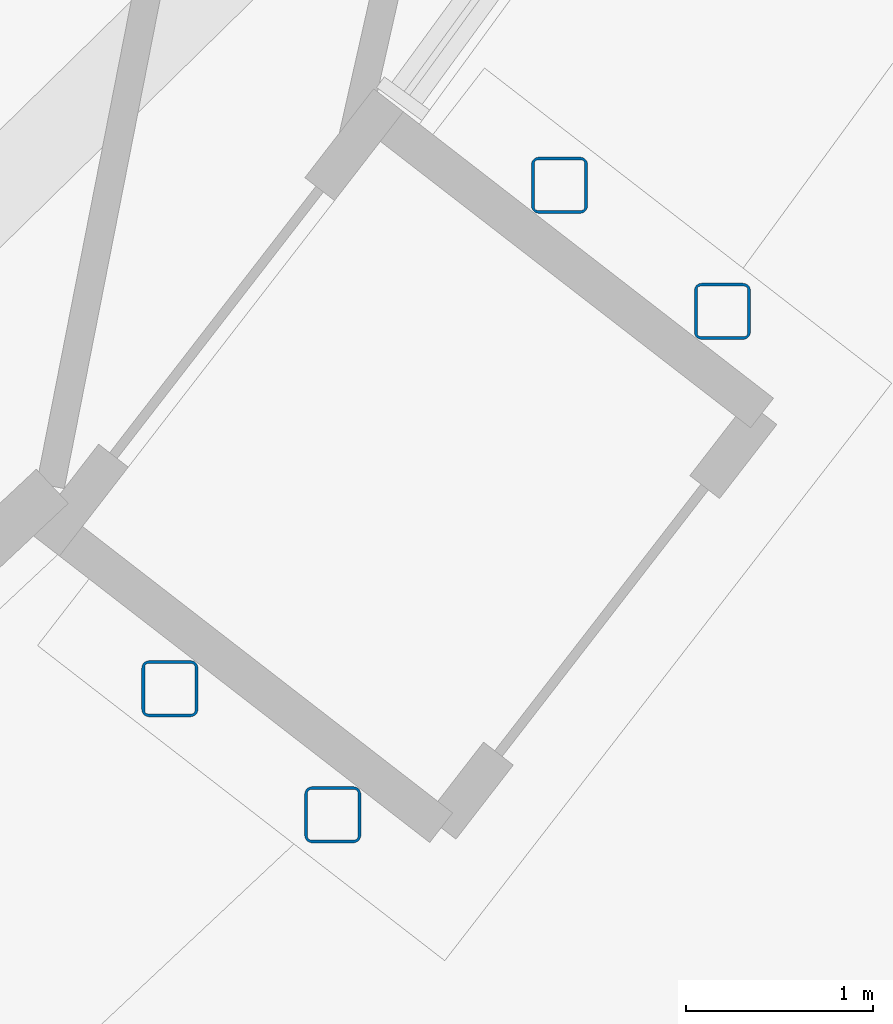
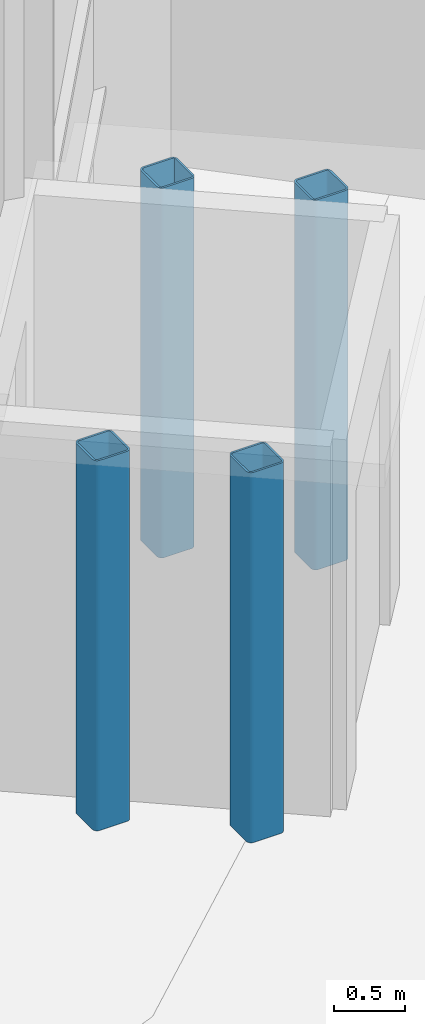
# One storey, part 2 of 45: 4 columns.
"""IFC4 building model written with IfcOpenShell, lengths in metres."""

from ifc_helpers import new_model, si_unit, direction, frame, origin, origin_2d, place, context, subcontext, project, spatial, hollow_rectangle, extrude, material, material_profile, profile_set, type_object, element, save


model = new_model("IFC4")

# Units and contexts
model_context = context("Model", 3, precision=1e-05, world=origin(), true_north=direction((0.0, 1.0)))
body_context = subcontext(model_context, "Body", "Model", "MODEL_VIEW")
ifc_project = project(units=[si_unit("LENGTHUNIT", "METRE"), si_unit("AREAUNIT", "SQUARE_METRE"), si_unit("VOLUMEUNIT", "CUBIC_METRE"), si_unit("PLANEANGLEUNIT", "RADIAN"), si_unit("MASSUNIT", "GRAM", prefix="KILO")], contexts=[model_context])

# Site, building, storey
site_placement = place(None, origin())
site = spatial("IfcSite", under=ifc_project, at=site_placement, CompositionType="ELEMENT")
building_placement = place(site_placement, origin())
building = spatial("IfcBuilding", under=site, at=building_placement, Name="Tuul Gate Civic Tower", CompositionType="ELEMENT")
storey_placement = place(building_placement, origin())
storey = spatial("IfcBuildingStorey", under=building, at=storey_placement, Name="Level 00", CompositionType="ELEMENT", Elevation=0.0)

# Columns
ifc_material = material(Name="Steel S355", Category="steel")
ifc_material_profile = material_profile(ifc_material, hollow_rectangle(XDim=0.300048828125, YDim=0.300048828125, WallThickness=0.01611328125, InnerFilletRadius=0.01611328125, OuterFilletRadius=0.0400390625, at=origin_2d()), Name="SHS300x300x16")
ifc_profile_set = profile_set([ifc_material_profile], Name="Steel S355")
column_type = type_object("IfcColumnType", Name="STR-COLUMN-SHS300x300x16", PredefinedType="COLUMN", material=ifc_profile_set)
for number, where, z_axis, x_axis, name in (
    (1, (-38.962890625, -36.8759765625, 0.0), (0.0, 0.0, 1.0), (1.0, 0.0, 0.0), "Canopy post"),
    (2, (-36.8818359375, -34.18701171875, 0.0), (0.0, 0.0, 1.0), (1.0, 0.0, 0.0), "Canopy post"),
    (3, (-38.0927734375, -37.549072265625, 0.0), (0.0, 0.0, 1.0), (1.0, 0.0, 0.0), "Canopy post"),
    (4, (-36.011962890625, -34.8603515625, 0.0), (0.0, 0.0, 1.0), (1.0, 0.0, 0.0), "Canopy post"),
):
    element("IfcColumn", number, at=place(storey_placement, frame(where, z_axis=z_axis, x_axis=x_axis)), inside=storey, type_object=column_type, Name=name, PredefinedType="COLUMN", context=body_context, shape_type="SweptSolid", body=[
        extrude(hollow_rectangle(XDim=0.300048828125, YDim=0.300048828125, WallThickness=0.01611328125, InnerFilletRadius=0.01611328125, OuterFilletRadius=0.0400390625, at=origin_2d()), origin(), (0.0, 0.0, 1.0), 3.199951171875),
    ])

save(model, "model.ifc")
